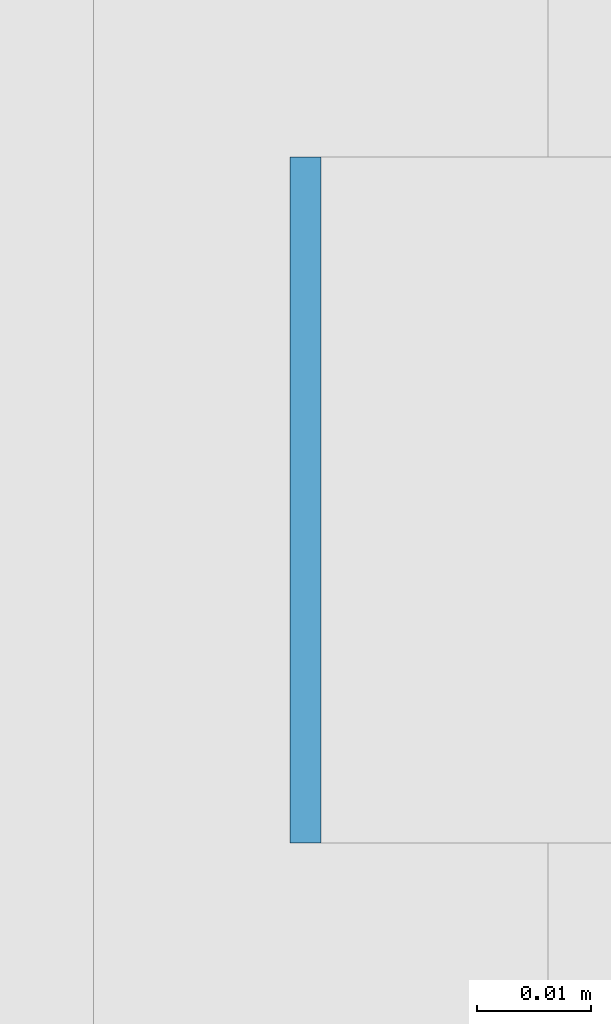
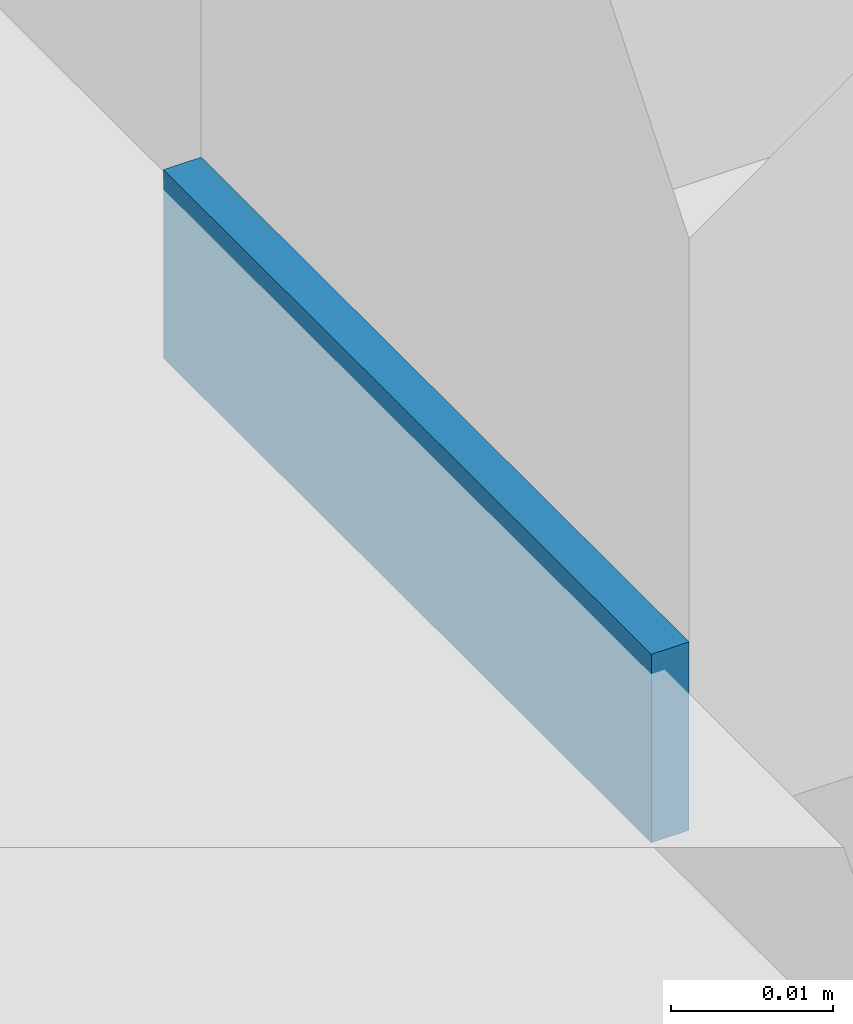
# One storey, part 552 of 646: 1 discrete accessory.
"""IFC4 building model written with IfcOpenShell, lengths in metres."""

from ifc_helpers import new_model, si_unit, direction, frame, origin, origin_2d, place, context, subcontext, project, spatial, rectangle, extrude, material, type_object, element, save


model = new_model("IFC4")

# Units and contexts
model_context = context("Model", 3, precision=1e-05, world=origin(), true_north=direction((0.0, 1.0)))
body_context = subcontext(model_context, "Body", "Model", "MODEL_VIEW")
ifc_project = project(units=[si_unit("LENGTHUNIT", "METRE"), si_unit("AREAUNIT", "SQUARE_METRE"), si_unit("VOLUMEUNIT", "CUBIC_METRE"), si_unit("PLANEANGLEUNIT", "RADIAN"), si_unit("MASSUNIT", "GRAM", prefix="KILO")], contexts=[model_context])

# Site, building, storey
site_placement = place(None, origin())
site = spatial("IfcSite", under=ifc_project, at=site_placement, CompositionType="ELEMENT")
building_placement = place(site_placement, origin())
building = spatial("IfcBuilding", under=site, at=building_placement, Name="Silverbay Arena", CompositionType="ELEMENT")
storey_placement = place(building_placement, frame((0.0, 0.0, 33.5)))
storey = spatial("IfcBuildingStorey", under=building, at=storey_placement, Name="L05", CompositionType="ELEMENT", Elevation=33.5)

# Discrete accessory
ifc_material = material(Name="Steel S355", Category="steel")
discrete_accessory_type = type_object("IfcDiscreteAccessoryType", Name="Steel bracket plate", PredefinedType="BRACKET", material=ifc_material)
discrete_accessory_placement = place(storey_placement, frame((207.128662109375, 96.428466796875, 4.0), z_axis=(0.0, 0.0, 1.0), x_axis=(1.0, 0.0, 0.0)))
element("IfcDiscreteAccessory", 1, at=discrete_accessory_placement, inside=storey, type_object=discrete_accessory_type, Name="Curtain wall packing plate", PredefinedType="BRACKET", context=body_context, shape_type="SweptSolid", body=[
    extrude(rectangle(XDim=0.002685546875, YDim=0.06005859375, at=origin_2d()), origin(), (0.0, 0.0, 1.0), 0.01416015625),
])

save(model, "model.ifc")
